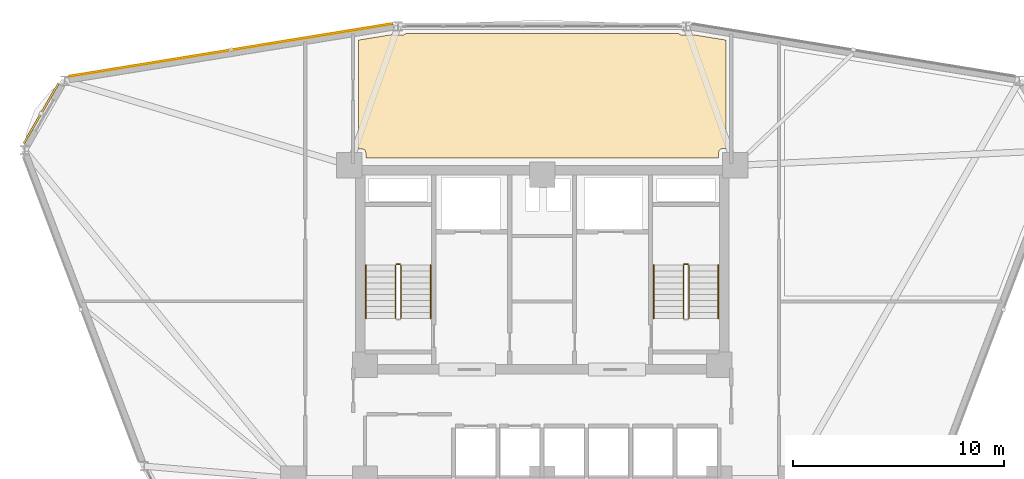
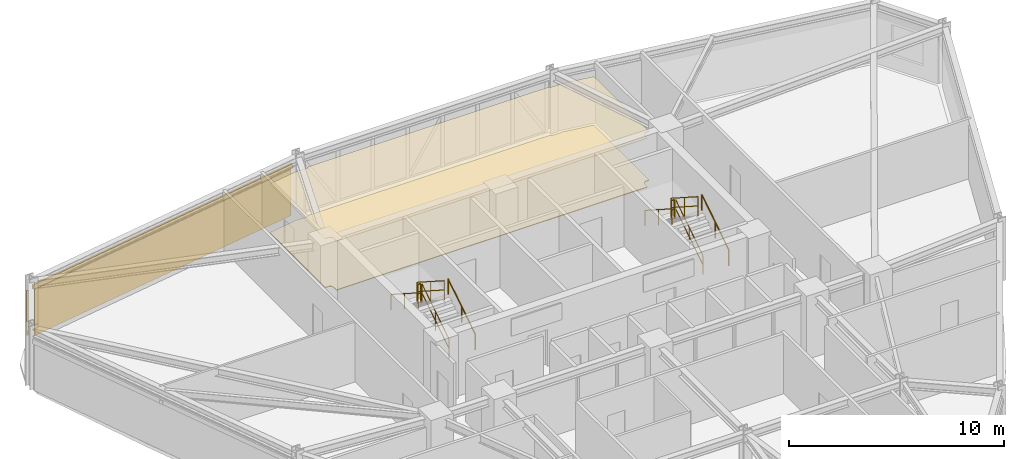
# One storey, part 16 of 17: 10 railings, 3 coverings, 2 shading devices.
"""IFC4 building model written with IfcOpenShell, lengths in metres."""

from ifc_helpers import new_model, si_unit, derived_unit, direction, frame, origin, origin_2d, place, context, subcontext, project, spatial, polyline, hollow_rectangle, circle, outline, extrude, source, transform, mapped, material, layer, layer_set, material_profile, profile_set, type_object, element, save


model = new_model("IFC4")

# Units and contexts
model_context = context("Model", 3, precision=1e-05, world=origin(), true_north=direction((0.0, 1.0)))
body_context = subcontext(model_context, "Body", "Model", "MODEL_VIEW")
ifc_project = project(units=[si_unit("LENGTHUNIT", "METRE"), si_unit("AREAUNIT", "SQUARE_METRE"), si_unit("VOLUMEUNIT", "CUBIC_METRE"), si_unit("PLANEANGLEUNIT", "RADIAN"), si_unit("MASSUNIT", "GRAM", prefix="KILO"), derived_unit("THERMALTRANSMITTANCEUNIT", [(si_unit("POWERUNIT", "WATT"), 1), (si_unit("LENGTHUNIT", "METRE"), -2), (si_unit("THERMODYNAMICTEMPERATUREUNIT", "KELVIN"), -1)])], contexts=[model_context])

# Site, building, storey
site_placement = place(None, origin())
site = spatial("IfcSite", under=ifc_project, at=site_placement, CompositionType="ELEMENT")
building_placement = place(site_placement, origin())
building = spatial("IfcBuilding", under=site, at=building_placement, Name="Korsvarv Bourse and Concert Hall", CompositionType="ELEMENT")
storey_placement = place(building_placement, frame((0.0, 0.0, 124.199951171875)))
storey = spatial("IfcBuildingStorey", under=building, at=storey_placement, Name="L31", CompositionType="ELEMENT", Elevation=124.199951171875)

# Coverings
ifc_material_1 = material(Name="Perforated mineral-wool and birch acoustic baffle ceiling", Category="wood")
ifc_layer_1 = layer(ifc_material_1, 0.02490234375)
ifc_layer_set_1 = layer_set([ifc_layer_1], Name="Perforated mineral-wool and birch acoustic baffle ceiling")
covering_type_1 = type_object("IfcCoveringType", Name="COV-CEIL-1", PredefinedType="CEILING", material=ifc_layer_set_1)
covering_1_placement = place(storey_placement, frame((0.0, 0.0, 2.780029296875)))
element("IfcCovering", 1, at=covering_1_placement, inside=storey, type_object=covering_type_1, Name="L31 acoustic baffle ceiling 2", PredefinedType="CEILING", context=body_context, shape_type="SweptSolid", body=[
    extrude(outline(polyline([(28.88134765625, 53.44921875), (28.91552734375, 53.43798828125), (28.9501953125, 53.43359375), (29.378173828125, 53.423583984375), (29.4130859375, 53.426513671875), (29.447021484375, 53.435791015625), (29.478515625, 53.451416015625), (29.506103515625, 53.472900390625), (29.529052734375, 53.49951171875), (42.46728515625, 53.501220703125), (42.49169921875, 53.47607421875), (42.520263671875, 53.456298828125), (42.55224609375, 53.4423828125), (42.586181640625, 53.43505859375), (43.031494140625, 53.423583984375), (43.06591796875, 53.42626953125), (43.099365234375, 53.435302734375), (43.125732421875, 53.447998046875), (44.7099609375, 53.1904296875), (44.7099609375, 48.0400390625), (44.550048828125, 48.0400390625), (44.515380859375, 48.03662109375), (44.482177734375, 48.026611328125), (44.451416015625, 48.010498046875), (44.42431640625, 47.98876953125), (44.40185546875, 47.962158203125), (44.385009765625, 47.931640625), (44.374267578125, 47.898681640625), (44.3701171875, 47.864013671875), (44.364013671875, 47.60009765625), (27.639892578125, 47.60009765625), (27.639892578125, 47.85009765625), (27.63671875, 47.884521484375), (27.626708984375, 47.917724609375), (27.610595703125, 47.948486328125), (27.589111328125, 47.975341796875), (27.562744140625, 47.997802734375), (27.532470703125, 48.014892578125), (27.49951171875, 48.025634765625), (27.465087890625, 48.02978515625), (27.2900390625, 48.034912109375), (27.2900390625, 53.1904296875), (28.88134765625, 53.44921875)])), origin(), (0.0, 0.0, 1.0), 0.02490234375),
])
ifc_material_2 = material(Name="Warm iron-oxide extruded terracotta rainscreen tile", Category="ceramic")
ifc_layer_2 = layer(ifc_material_2, 0.044921875)
ifc_layer_set_2 = layer_set([ifc_layer_2], Name="Warm iron-oxide extruded terracotta rainscreen tile")
covering_type_2 = type_object("IfcCoveringType", Name="COV-CLD-TC", PredefinedType="CLADDING", material=ifc_layer_set_2)
covering_2_placement = place(storey_placement, origin())
element("IfcCovering", 2, at=covering_2_placement, inside=storey, type_object=covering_type_2, Name="L31 fluted terracotta cladding panel EW-L31-B04", PredefinedType="CLADDING", context=body_context, shape_type="SweptSolid", body=[
    extrude(outline(polyline([(28.858642578125, 53.9267578125), (13.637451171875, 51.45166015625), (13.63037109375, 51.49609375), (28.851318359375, 53.97119140625), (28.858642578125, 53.9267578125)])), origin(), (0.0, 0.0, 1.0), 2.630126953125),
])
ifc_material_3 = material(Name="Calcium-sulphate raised access trading floor with Nordic oak top", Category="wood")
ifc_layer_3 = layer(ifc_material_3, 0.0400390625)
ifc_layer_set_3 = layer_set([ifc_layer_3], Name="Calcium-sulphate raised access trading floor with Nordic oak top")
covering_type_3 = type_object("IfcCoveringType", Name="COV-FLOR-1", PredefinedType="FLOORING", material=ifc_layer_set_3)
covering_3_placement = place(storey_placement, origin())
element("IfcCovering", 3, at=covering_3_placement, inside=storey, type_object=covering_type_3, Name="L31 raised access oak floor finish 2", PredefinedType="FLOORING", context=body_context, shape_type="SweptSolid", body=[
    extrude(outline(polyline([(28.88134765625, 53.44921875), (28.91552734375, 53.43798828125), (28.9501953125, 53.43359375), (29.378173828125, 53.423583984375), (29.4130859375, 53.426513671875), (29.447021484375, 53.435791015625), (29.478515625, 53.451416015625), (29.506103515625, 53.472900390625), (29.529052734375, 53.49951171875), (42.46728515625, 53.501220703125), (42.49169921875, 53.47607421875), (42.520263671875, 53.456298828125), (42.55224609375, 53.4423828125), (42.586181640625, 53.43505859375), (43.031494140625, 53.423583984375), (43.06591796875, 53.42626953125), (43.099365234375, 53.435302734375), (43.125732421875, 53.447998046875), (44.7099609375, 53.1904296875), (44.7099609375, 48.0400390625), (44.550048828125, 48.0400390625), (44.515380859375, 48.03662109375), (44.482177734375, 48.026611328125), (44.451416015625, 48.010498046875), (44.42431640625, 47.98876953125), (44.40185546875, 47.962158203125), (44.385009765625, 47.931640625), (44.374267578125, 47.898681640625), (44.3701171875, 47.864013671875), (44.364013671875, 47.60009765625), (27.639892578125, 47.60009765625), (27.639892578125, 47.85009765625), (27.63671875, 47.884521484375), (27.626708984375, 47.917724609375), (27.610595703125, 47.948486328125), (27.589111328125, 47.975341796875), (27.562744140625, 47.997802734375), (27.532470703125, 48.014892578125), (27.49951171875, 48.025634765625), (27.465087890625, 48.02978515625), (27.2900390625, 48.034912109375), (27.2900390625, 53.1904296875), (28.88134765625, 53.44921875)])), origin(), (0.0, 0.0, 1.0), 0.0400390625),
])

# Railings
ifc_material_4 = material(Name="Painted Steel S355 stair well guardrail", Category="steel")
railing_type_1 = type_object("IfcRailingType", Name="RL-ST-GRD", PredefinedType="GUARDRAIL", material=ifc_material_4)
railing_1_placement = place(storey_placement, frame((29.31005859375, 40.0, 0.179931640625)))
element("IfcRailing", 4, at=railing_1_placement, inside=storey, type_object=railing_type_1, Name="L31 ST-T1 stair guard 1", PredefinedType="GUARDRAIL", context=body_context, shape_type="SweptSolid", body=[
    extrude(circle(Radius=0.02392578125, at=origin_2d()), frame((0.0, 0.0, 1.076171875), z_axis=(0.0, 0.841162588446, 0.540782303519), x_axis=(-1.0, 0.0, 0.0)), (0.0, 0.0, 1.0), 2.995849609375),
    extrude(circle(Radius=0.02392578125, at=origin_2d()), frame((0.0, 0.0, 0.550048828125), z_axis=(0.0, 0.841162588446, 0.540782303519), x_axis=(-1.0, 0.0, 0.0)), (0.0, 0.0, 1.0), 2.995849609375),
    extrude(circle(Radius=0.02099609375, at=origin_2d()), origin(), (0.0, 0.0, 1.0), 1.052001953125),
    extrude(circle(Radius=0.02099609375, at=origin_2d()), frame((0.0, 1.260009765625, 0.81005859375)), (0.0, 0.0, 1.0), 1.052001953125),
    extrude(circle(Radius=0.02099609375, at=origin_2d()), frame((0.0, 2.52001953125, 1.6201171875)), (0.0, 0.0, 1.0), 1.052001953125),
])
railing_2_placement = place(storey_placement, frame((29.260009765625, 42.570068359375, 1.800048828125)))
element("IfcRailing", 5, at=railing_2_placement, inside=storey, type_object=railing_type_1, Name="L31 ST-T1 stair guard 2", PredefinedType="GUARDRAIL", context=body_context, shape_type="SweptSolid", body=[
    extrude(circle(Radius=0.02392578125, at=origin_2d()), frame((0.0, 0.0, 1.076171875), z_axis=(-1.0, 0.0, 0.0), x_axis=(0.0, -1.0, 0.0)), (0.0, 0.0, 1.0), 0.159912109375),
    extrude(circle(Radius=0.02392578125, at=origin_2d()), frame((0.0, 0.0, 0.550048828125), z_axis=(-1.0, 0.0, 0.0), x_axis=(0.0, -1.0, 0.0)), (0.0, 0.0, 1.0), 0.159912109375),
    extrude(circle(Radius=0.02099609375, at=origin_2d()), origin(), (0.0, 0.0, 1.0), 1.052001953125),
    extrude(circle(Radius=0.02099609375, at=origin_2d()), frame((-0.159912109375, 0.0, 0.0)), (0.0, 0.0, 1.0), 1.052001953125),
])
railing_3_placement = place(storey_placement, frame((29.050048828125, 42.52001953125, 1.97998046875)))
element("IfcRailing", 6, at=railing_3_placement, inside=storey, type_object=railing_type_1, Name="L31 ST-T1 stair guard 3", PredefinedType="GUARDRAIL", context=body_context, shape_type="SweptSolid", body=[
    extrude(circle(Radius=0.02392578125, at=origin_2d()), frame((0.0, 0.0, 1.076171875), z_axis=(0.0, -0.841162588446, 0.540782303519), x_axis=(1.0, 0.0, 0.0)), (0.0, 0.0, 1.0), 2.995849609375),
    extrude(circle(Radius=0.02392578125, at=origin_2d()), frame((0.0, 0.0, 0.550048828125), z_axis=(0.0, -0.841162588446, 0.540782303519), x_axis=(1.0, 0.0, 0.0)), (0.0, 0.0, 1.0), 2.995849609375),
    extrude(circle(Radius=0.02099609375, at=origin_2d()), origin(), (0.0, 0.0, 1.0), 1.052001953125),
    extrude(circle(Radius=0.02099609375, at=origin_2d()), frame((0.0, -1.260009765625, 0.81005859375)), (0.0, 0.0, 1.0), 1.052001953125),
    extrude(circle(Radius=0.02099609375, at=origin_2d()), frame((0.0, -2.52001953125, 1.6201171875)), (0.0, 0.0, 1.0), 1.052001953125),
])
railing_4_placement = place(storey_placement, frame((42.949951171875, 40.0, 0.179931640625)))
element("IfcRailing", 7, at=railing_4_placement, inside=storey, type_object=railing_type_1, Name="L31 ST-T2 stair guard 1", PredefinedType="GUARDRAIL", context=body_context, shape_type="SweptSolid", body=[
    extrude(circle(Radius=0.02392578125, at=origin_2d()), frame((0.0, 0.0, 1.076171875), z_axis=(0.0, 0.841162588446, 0.540782303519), x_axis=(-1.0, 0.0, 0.0)), (0.0, 0.0, 1.0), 2.995849609375),
    extrude(circle(Radius=0.02392578125, at=origin_2d()), frame((0.0, 0.0, 0.550048828125), z_axis=(0.0, 0.841162588446, 0.540782303519), x_axis=(-1.0, 0.0, 0.0)), (0.0, 0.0, 1.0), 2.995849609375),
    extrude(circle(Radius=0.02099609375, at=origin_2d()), origin(), (0.0, 0.0, 1.0), 1.052001953125),
    extrude(circle(Radius=0.02099609375, at=origin_2d()), frame((0.0, 1.260009765625, 0.81005859375)), (0.0, 0.0, 1.0), 1.052001953125),
    extrude(circle(Radius=0.02099609375, at=origin_2d()), frame((0.0, 2.52001953125, 1.6201171875)), (0.0, 0.0, 1.0), 1.052001953125),
])
railing_5_placement = place(storey_placement, frame((42.89990234375, 42.570068359375, 1.800048828125)))
element("IfcRailing", 8, at=railing_5_placement, inside=storey, type_object=railing_type_1, Name="L31 ST-T2 stair guard 2", PredefinedType="GUARDRAIL", context=body_context, shape_type="SweptSolid", body=[
    extrude(circle(Radius=0.02392578125, at=origin_2d()), frame((0.0, 0.0, 1.076171875), z_axis=(-1.0, 0.0, 0.0), x_axis=(0.0, -1.0, 0.0)), (0.0, 0.0, 1.0), 0.159912109375),
    extrude(circle(Radius=0.02392578125, at=origin_2d()), frame((0.0, 0.0, 0.550048828125), z_axis=(-1.0, 0.0, 0.0), x_axis=(0.0, -1.0, 0.0)), (0.0, 0.0, 1.0), 0.159912109375),
    extrude(circle(Radius=0.02099609375, at=origin_2d()), origin(), (0.0, 0.0, 1.0), 1.052001953125),
    extrude(circle(Radius=0.02099609375, at=origin_2d()), frame((-0.159912109375, 0.0, 0.0)), (0.0, 0.0, 1.0), 1.052001953125),
])
railing_6_placement = place(storey_placement, frame((42.68994140625, 42.52001953125, 1.97998046875)))
element("IfcRailing", 9, at=railing_6_placement, inside=storey, type_object=railing_type_1, Name="L31 ST-T2 stair guard 3", PredefinedType="GUARDRAIL", context=body_context, shape_type="SweptSolid", body=[
    extrude(circle(Radius=0.02392578125, at=origin_2d()), frame((0.0, 0.0, 1.076171875), z_axis=(0.0, -0.841162588446, 0.540782303519), x_axis=(1.0, 0.0, 0.0)), (0.0, 0.0, 1.0), 2.995849609375),
    extrude(circle(Radius=0.02392578125, at=origin_2d()), frame((0.0, 0.0, 0.550048828125), z_axis=(0.0, -0.841162588446, 0.540782303519), x_axis=(1.0, 0.0, 0.0)), (0.0, 0.0, 1.0), 2.995849609375),
    extrude(circle(Radius=0.02099609375, at=origin_2d()), origin(), (0.0, 0.0, 1.0), 1.052001953125),
    extrude(circle(Radius=0.02099609375, at=origin_2d()), frame((0.0, -1.260009765625, 0.81005859375)), (0.0, 0.0, 1.0), 1.052001953125),
    extrude(circle(Radius=0.02099609375, at=origin_2d()), frame((0.0, -2.52001953125, 1.6201171875)), (0.0, 0.0, 1.0), 1.052001953125),
])
ifc_material_5 = material(Name="Brushed stainless Steel S355 tubular handrail", Category="steel")
railing_type_2 = type_object("IfcRailingType", Name="RL-ST-HND", PredefinedType="HANDRAIL", material=ifc_material_5)
railing_7_placement = place(storey_placement, frame((30.7099609375, 40.0, 0.179931640625)))
element("IfcRailing", 10, at=railing_7_placement, inside=storey, type_object=railing_type_2, Name="L31 ST-T1 stair handrail 1", PredefinedType="HANDRAIL", context=body_context, shape_type="SweptSolid", body=[
    extrude(circle(Radius=0.02392578125, at=origin_2d()), frame((0.0, 0.0, 0.8759765625), z_axis=(0.0, 0.841162588446, 0.540782303519), x_axis=(-1.0, 0.0, 0.0)), (0.0, 0.0, 1.0), 2.995849609375),
    extrude(circle(Radius=0.02099609375, at=origin_2d()), origin(), (0.0, 0.0, 1.0), 0.851806640625),
    extrude(circle(Radius=0.02099609375, at=origin_2d()), frame((0.0, 1.260009765625, 0.81005859375)), (0.0, 0.0, 1.0), 0.851806640625),
    extrude(circle(Radius=0.02099609375, at=origin_2d()), frame((0.0, 2.52001953125, 1.6201171875)), (0.0, 0.0, 1.0), 0.851806640625),
])
railing_8_placement = place(storey_placement, frame((27.64990234375, 42.52001953125, 1.97998046875)))
element("IfcRailing", 11, at=railing_8_placement, inside=storey, type_object=railing_type_2, Name="L31 ST-T1 stair handrail 2", PredefinedType="HANDRAIL", context=body_context, shape_type="SweptSolid", body=[
    extrude(circle(Radius=0.02392578125, at=origin_2d()), frame((0.0, 0.0, 0.8759765625), z_axis=(0.0, -0.841162588446, 0.540782303519), x_axis=(1.0, 0.0, 0.0)), (0.0, 0.0, 1.0), 2.995849609375),
    extrude(circle(Radius=0.02099609375, at=origin_2d()), origin(), (0.0, 0.0, 1.0), 0.851806640625),
    extrude(circle(Radius=0.02099609375, at=origin_2d()), frame((0.0, -1.260009765625, 0.81005859375)), (0.0, 0.0, 1.0), 0.851806640625),
    extrude(circle(Radius=0.02099609375, at=origin_2d()), frame((0.0, -2.52001953125, 1.6201171875)), (0.0, 0.0, 1.0), 0.851806640625),
])
railing_9_placement = place(storey_placement, frame((44.35009765625, 40.0, 0.179931640625)))
element("IfcRailing", 12, at=railing_9_placement, inside=storey, type_object=railing_type_2, Name="L31 ST-T2 stair handrail 1", PredefinedType="HANDRAIL", context=body_context, shape_type="SweptSolid", body=[
    extrude(circle(Radius=0.02392578125, at=origin_2d()), frame((0.0, 0.0, 0.8759765625), z_axis=(0.0, 0.841162588446, 0.540782303519), x_axis=(-1.0, 0.0, 0.0)), (0.0, 0.0, 1.0), 2.995849609375),
    extrude(circle(Radius=0.02099609375, at=origin_2d()), origin(), (0.0, 0.0, 1.0), 0.851806640625),
    extrude(circle(Radius=0.02099609375, at=origin_2d()), frame((0.0, 1.260009765625, 0.81005859375)), (0.0, 0.0, 1.0), 0.851806640625),
    extrude(circle(Radius=0.02099609375, at=origin_2d()), frame((0.0, 2.52001953125, 1.6201171875)), (0.0, 0.0, 1.0), 0.851806640625),
])
railing_10_placement = place(storey_placement, frame((41.2900390625, 42.52001953125, 1.97998046875)))
element("IfcRailing", 13, at=railing_10_placement, inside=storey, type_object=railing_type_2, Name="L31 ST-T2 stair handrail 2", PredefinedType="HANDRAIL", context=body_context, shape_type="SweptSolid", body=[
    extrude(circle(Radius=0.02392578125, at=origin_2d()), frame((0.0, 0.0, 0.8759765625), z_axis=(0.0, -0.841162588446, 0.540782303519), x_axis=(1.0, 0.0, 0.0)), (0.0, 0.0, 1.0), 2.995849609375),
    extrude(circle(Radius=0.02099609375, at=origin_2d()), origin(), (0.0, 0.0, 1.0), 0.851806640625),
    extrude(circle(Radius=0.02099609375, at=origin_2d()), frame((0.0, -1.260009765625, 0.81005859375)), (0.0, 0.0, 1.0), 0.851806640625),
    extrude(circle(Radius=0.02099609375, at=origin_2d()), frame((0.0, -2.52001953125, 1.6201171875)), (0.0, 0.0, 1.0), 0.851806640625),
])

# Shading devices
ifc_material_6 = material(Name="Glazed extruded architectural terracotta", Category="ceramic")
ifc_material_profile = material_profile(ifc_material_6, hollow_rectangle(XDim=0.090087890625, YDim=0.260009765625, WallThickness=0.011962890625, at=origin_2d()), Name="TC-BAG 90x260")
ifc_profile_set = profile_set([ifc_material_profile], Name="Glazed extruded architectural terracotta")
shading_device_type = type_object("IfcShadingDeviceType", Name="SHD-BAG-1", PredefinedType="USERDEFINED", material=ifc_profile_set)
shared_shape_1 = source(origin(), body_context, "Body", "SweptSolid", [
    extrude(hollow_rectangle(XDim=0.090087890625, YDim=0.260009765625, WallThickness=0.011962890625, at=origin_2d()), origin(), (0.0, 0.0, 1.0), 3.279296875),
])
shading_device_1_placement = place(storey_placement, frame((13.07177734375, 51.130859375, 2.840087890625), z_axis=(-0.500014611105, -0.866016967894, 0.0), x_axis=(0.866016967894, -0.500014611105, 0.0)))
element("IfcShadingDevice", 14, at=shading_device_1_placement, inside=storey, type_object=shading_device_type, Name="L31 terracotta baguette sunshade EW-L31-B05", ObjectType="BAGUETTE", PredefinedType="USERDEFINED", context=body_context, shape_type="MappedRepresentation", body=[
    mapped(shared_shape_1, transform((0.0, 0.0, 0.0), scale=1.0)),
])
shared_shape_2 = source(origin(), body_context, "Body", "SweptSolid", [
    extrude(hollow_rectangle(XDim=0.090087890625, YDim=0.260009765625, WallThickness=0.011962890625, at=origin_2d()), origin(), (0.0, 0.0, 1.0), 15.5810546875),
])
shading_device_2_placement = place(storey_placement, frame((28.93115234375, 53.97900390625, 2.7900390625), z_axis=(-0.987036263752, -0.160497395736, 0.0), x_axis=(0.160497395736, -0.987036263752, 0.0)))
element("IfcShadingDevice", 15, at=shading_device_2_placement, inside=storey, type_object=shading_device_type, Name="L31 terracotta baguette sunshade EW-L31-B04", ObjectType="BAGUETTE", PredefinedType="USERDEFINED", context=body_context, shape_type="MappedRepresentation", body=[
    mapped(shared_shape_2, transform((0.0, 0.0, 0.0), scale=1.0)),
])

save(model, "model.ifc")
